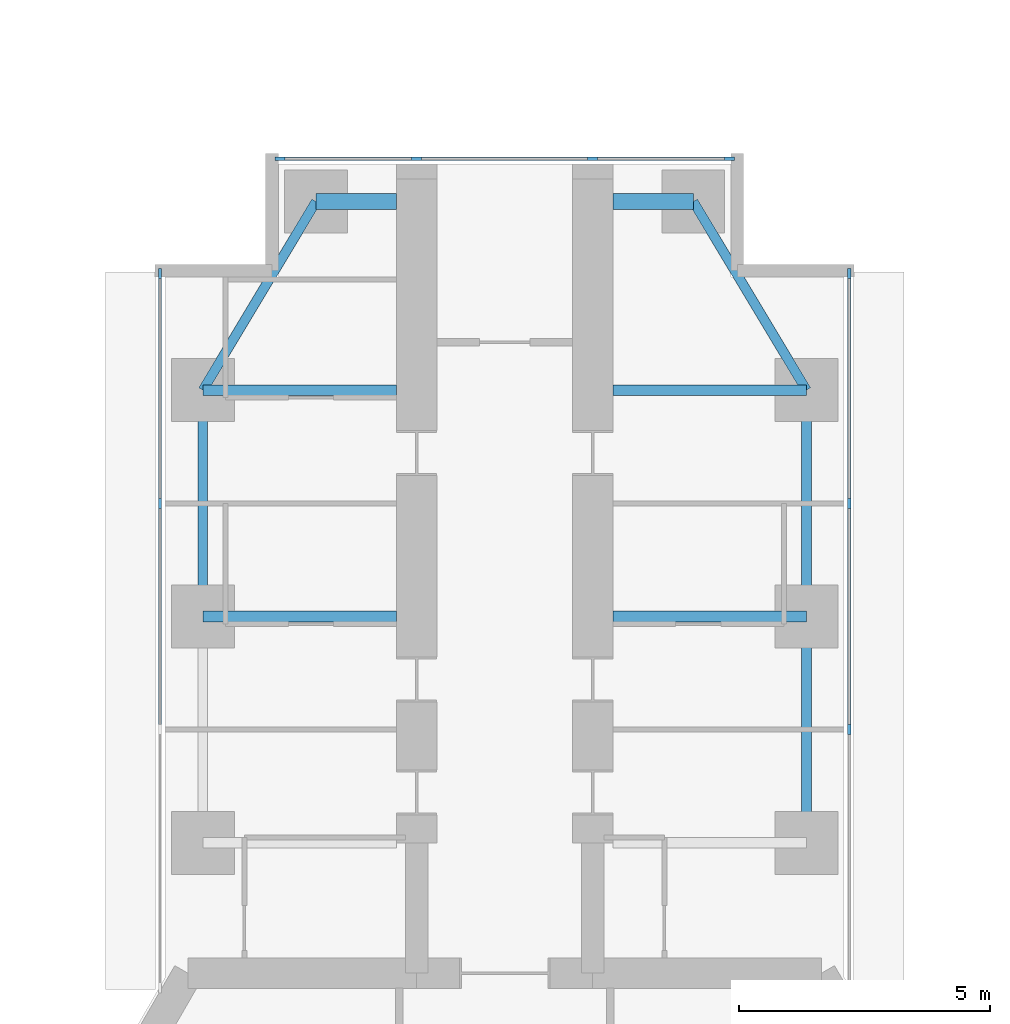
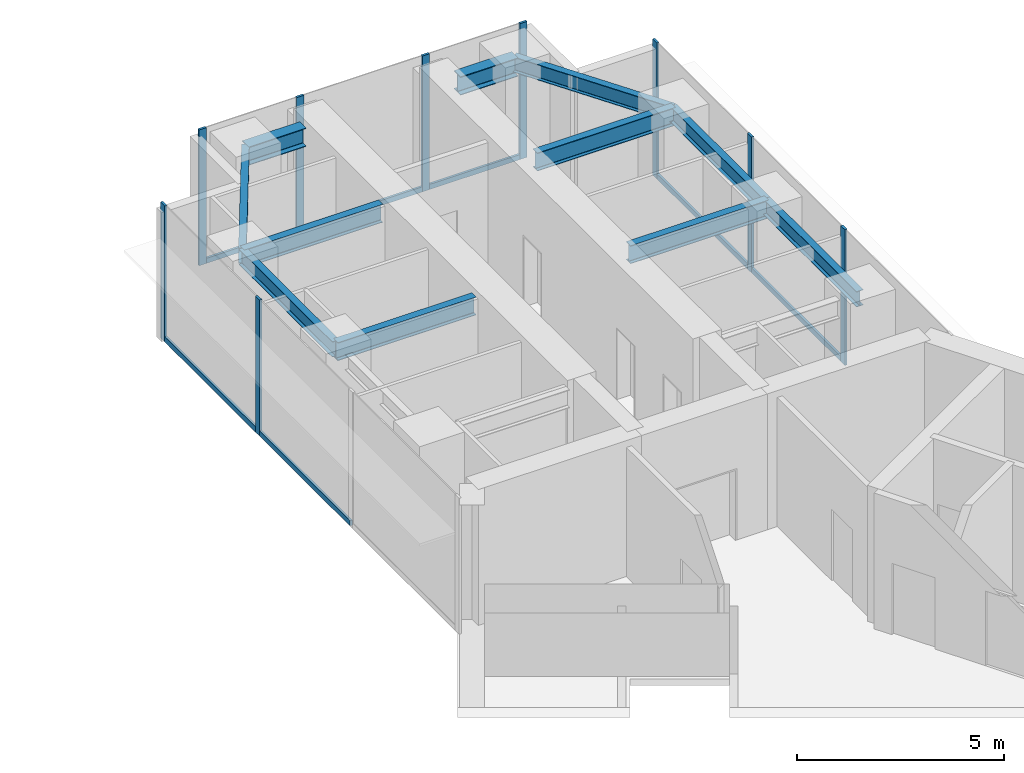
# One storey, part 12 of 23: 16 members, 11 beams, 3 elements without a shape of their own.
"""IFC4 building model written with IfcOpenShell, lengths in metres."""

from ifc_helpers import new_model, si_unit, direction, frame, origin, origin_2d, place, context, subcontext, project, spatial, rectangle, i_section, extrude, material, material_profile, profile_set, type_object, element, aggregate, save


model = new_model("IFC4")

# Units and contexts
model_context = context("Model", 3, precision=1e-05, world=origin(), true_north=direction((0.0, 1.0)))
body_context = subcontext(model_context, "Body", "Model", "MODEL_VIEW")
ifc_project = project(units=[si_unit("LENGTHUNIT", "METRE"), si_unit("AREAUNIT", "SQUARE_METRE"), si_unit("VOLUMEUNIT", "CUBIC_METRE"), si_unit("PLANEANGLEUNIT", "RADIAN"), si_unit("MASSUNIT", "GRAM", prefix="KILO")], contexts=[model_context])

# Site, building, storey
site_placement = place(None, origin())
site = spatial("IfcSite", under=ifc_project, at=site_placement, CompositionType="ELEMENT")
building_placement = place(site_placement, origin())
building = spatial("IfcBuilding", under=site, at=building_placement, Name="Upepo Twin Towers", CompositionType="ELEMENT")
storey_placement = place(building_placement, frame((0.0, 0.0, 157.5)))
storey = spatial("IfcBuildingStorey", under=building, at=storey_placement, Name="L38", CompositionType="ELEMENT", Elevation=157.5)

# Beams
ifc_material_1 = material(Name="Steel S355", Category="steel")
ifc_material_profile_1 = material_profile(ifc_material_1, i_section(OverallWidth=0.1904296875, OverallDepth=0.45703125, WebThickness=0.009033203125, FlangeThickness=0.014404296875, FilletRadius=0.01025390625, at=origin_2d()), Name="UB 457x191x74")
ifc_profile_set_1 = profile_set([ifc_material_profile_1], Name="Steel S355")
beam_type_1 = type_object("IfcBeamType", Name="Beam UB 457x191x74", PredefinedType="BEAM", material=ifc_profile_set_1)
beam_1_placement = place(storey_placement, frame((52.5, 0.0, 3.571533203125), z_axis=(0.0, 1.0, 0.0), x_axis=(-1.0, 0.0, 0.0)))
element("IfcBeam", 1, at=beam_1_placement, inside=storey, type_object=beam_type_1, Name="T2 edge beam AL 18.0-22.5", PredefinedType="BEAM", context=body_context, shape_type="SweptSolid", body=[
    extrude(i_section(OverallWidth=0.1904296875, OverallDepth=0.45703125, WebThickness=0.009033203125, FlangeThickness=0.014404296875, FilletRadius=0.01025390625, at=origin_2d()), origin(), (0.0, 0.0, 1.0), 4.5),
])
beam_2_placement = place(storey_placement, frame((52.5, 4.5, 3.571533203125), z_axis=(0.514495755428, 0.857492925713, 0.0), x_axis=(-0.857492925713, 0.514495755428, 0.0)))
element("IfcBeam", 2, at=beam_2_placement, inside=storey, type_object=beam_type_1, Name="T2 nose edge beam AL", PredefinedType="BEAM", context=body_context, shape_type="SweptSolid", body=[
    extrude(i_section(OverallWidth=0.1904296875, OverallDepth=0.45703125, WebThickness=0.009033203125, FlangeThickness=0.014404296875, FilletRadius=0.01025390625, at=origin_2d()), origin(), (0.0, 0.0, 1.0), 4.373291015625),
])
for number, where, z_axis, x_axis, name in (
    (3, (64.5, -4.5, 3.571533203125), (0.0, 1.0, 0.0), (-1.0, 0.0, 0.0), "T2 edge beam AR 13.5-18.0"),
    (4, (64.5, 0.0, 3.571533203125), (0.0, 1.0, 0.0), (-1.0, 0.0, 0.0), "T2 edge beam AR 18.0-22.5"),
):
    element("IfcBeam", number, at=place(storey_placement, frame(where, z_axis=z_axis, x_axis=x_axis)), inside=storey, type_object=beam_type_1, Name=name, PredefinedType="BEAM", context=body_context, shape_type="SweptSolid", body=[
        extrude(i_section(OverallWidth=0.1904296875, OverallDepth=0.45703125, WebThickness=0.009033203125, FlangeThickness=0.014404296875, FilletRadius=0.01025390625, at=origin_2d()), origin(), (0.0, 0.0, 1.0), 4.5),
    ])
beam_3_placement = place(storey_placement, frame((64.5, 4.5, 3.571533203125), z_axis=(-0.514495755428, 0.857492925713, 0.0), x_axis=(-0.857492925713, -0.514495755428, 0.0)))
element("IfcBeam", 5, at=beam_3_placement, inside=storey, type_object=beam_type_1, Name="T2 nose edge beam AR", PredefinedType="BEAM", context=body_context, shape_type="SweptSolid", body=[
    extrude(i_section(OverallWidth=0.1904296875, OverallDepth=0.45703125, WebThickness=0.009033203125, FlangeThickness=0.014404296875, FilletRadius=0.01025390625, at=origin_2d()), origin(), (0.0, 0.0, 1.0), 4.373291015625),
])
ifc_material_2 = material(Name="Steel S355", Category="steel")
ifc_material_profile_2 = material_profile(ifc_material_2, i_section(OverallWidth=0.209228515625, OverallDepth=0.533203125, WebThickness=0.010009765625, FlangeThickness=0.015625, FilletRadius=0.0126953125, at=origin_2d()), Name="UB 533x210x92")
ifc_profile_set_2 = profile_set([ifc_material_profile_2], Name="Steel S355")
beam_type_2 = type_object("IfcBeamType", Name="Beam UB 533x210x92", PredefinedType="BEAM", material=ifc_profile_set_2)
for number, where, z_axis, x_axis, name in (
    (6, (52.5, 0.0, 3.533447265625), (1.0, 0.0, 0.0), (0.0, 1.0, 0.0), "T2 girder AL at 18.0"),
    (7, (52.5, 4.5, 3.533447265625), (1.0, 0.0, 0.0), (0.0, 1.0, 0.0), "T2 girder AL at 22.5"),
    (8, (64.5, 0.0, 3.533447265625), (-1.0, 0.0, 0.0), (0.0, -1.0, 0.0), "T2 girder AR at 18.0"),
    (9, (64.5, 4.5, 3.533447265625), (-1.0, 0.0, 0.0), (0.0, -1.0, 0.0), "T2 girder AR at 22.5"),
):
    element("IfcBeam", number, at=place(storey_placement, frame(where, z_axis=z_axis, x_axis=x_axis)), inside=storey, type_object=beam_type_2, Name=name, PredefinedType="BEAM", context=body_context, shape_type="SweptSolid", body=[
        extrude(i_section(OverallWidth=0.209228515625, OverallDepth=0.533203125, WebThickness=0.010009765625, FlangeThickness=0.015625, FilletRadius=0.0126953125, at=origin_2d()), origin(), (0.0, 0.0, 1.0), 3.85009765625),
    ])
ifc_material_3 = material(Name="Steel S355", Category="steel")
ifc_material_profile_3 = material_profile(ifc_material_3, i_section(OverallWidth=0.31201171875, OverallDepth=0.54345703125, WebThickness=0.0126953125, FlangeThickness=0.020263671875, FilletRadius=0.0126953125, at=origin_2d()), Name="UB 533x312x150")
ifc_profile_set_3 = profile_set([ifc_material_profile_3], Name="Steel S355")
beam_type_3 = type_object("IfcBeamType", Name="Beam UB 533x312x150", PredefinedType="BEAM", material=ifc_profile_set_3)
for number, where, z_axis, x_axis, name in (
    (10, (54.75, 8.25, 3.5283203125), (1.0, 0.0, 0.0), (0.0, 1.0, 0.0), "T2 nose beam AL"),
    (11, (62.25, 8.25, 3.5283203125), (-1.0, 0.0, 0.0), (0.0, -1.0, 0.0), "T2 nose beam AR"),
):
    element("IfcBeam", number, at=place(storey_placement, frame(where, z_axis=z_axis, x_axis=x_axis)), inside=storey, type_object=beam_type_3, Name=name, PredefinedType="BEAM", context=body_context, shape_type="SweptSolid", body=[
        extrude(i_section(OverallWidth=0.31201171875, OverallDepth=0.54345703125, WebThickness=0.0126953125, FlangeThickness=0.020263671875, FilletRadius=0.0126953125, at=origin_2d()), origin(), (0.0, 0.0, 1.0), 1.60009765625),
    ])

# Curtain wall, members
ifc_material_4 = material(Name="Aluminium and fritted glass", Category="aluminium")
curtain_wall_type = type_object("IfcCurtainWallType", Name="Tower curtain wall TW2, fritted glass", PredefinedType="NOTDEFINED", material=ifc_material_4)
curtain_wall_1_placement = place(storey_placement, origin())
curtain_wall_1 = element("IfcCurtainWall", 12, at=curtain_wall_1_placement, inside=storey, type_object=curtain_wall_type, Name="T2 L38 wing A flank L curtain wall", PredefinedType="NOTDEFINED")
ifc_material_5 = material(Name="Aluminium mullion", Category="aluminium")
ifc_material_profile_4 = material_profile(ifc_material_5, rectangle(XDim=0.06494140625, YDim=0.199951171875, at=origin_2d()), Name="MULLION 65x200")
ifc_profile_set_4 = profile_set([ifc_material_profile_4], Name="Aluminium mullion")
member_type_1 = type_object("IfcMemberType", Name="Mullion 65x200 TW2", PredefinedType="MULLION", material=ifc_profile_set_4)
member_1_placement = place(storey_placement, frame((51.64990234375, 2.25, 0.0), z_axis=(0.0, 0.0, 1.0), x_axis=(-1.0, 0.0, 0.0)))
member_1 = element("IfcMember", 13, at=member_1_placement, type_object=member_type_1, Name="T2 L38 wing A flank L curtain wall mullion 3", PredefinedType="MULLION", context=body_context, shape_type="SweptSolid", body=[
    extrude(rectangle(XDim=0.06494140625, YDim=0.199951171875, at=origin_2d()), origin(), (0.0, 0.0, 1.0), 4.0),
])
member_2_placement = place(storey_placement, frame((51.64990234375, 6.8173828125, 0.0), z_axis=(0.0, 0.0, 1.0), x_axis=(-1.0, 0.0, 0.0)))
member_2 = element("IfcMember", 14, at=member_2_placement, type_object=member_type_1, Name="T2 L38 wing A flank L curtain wall mullion 4", PredefinedType="MULLION", context=body_context, shape_type="SweptSolid", body=[
    extrude(rectangle(XDim=0.06494140625, YDim=0.199951171875, at=origin_2d()), origin(), (0.0, 0.0, 1.0), 4.0),
])

curtain_wall_2_placement = place(storey_placement, origin())
curtain_wall_2 = element("IfcCurtainWall", 15, at=curtain_wall_2_placement, inside=storey, type_object=curtain_wall_type, Name="T2 L38 wing A flank R curtain wall", PredefinedType="NOTDEFINED")
member_3_placement = place(storey_placement, frame((65.35009765625, 6.8173828125, 0.0), z_axis=(0.0, 0.0, 1.0), x_axis=(1.0, 0.0, 0.0)))
member_3 = element("IfcMember", 16, at=member_3_placement, type_object=member_type_1, Name="T2 L38 wing A flank R curtain wall mullion 1", PredefinedType="MULLION", context=body_context, shape_type="SweptSolid", body=[
    extrude(rectangle(XDim=0.06494140625, YDim=0.199951171875, at=origin_2d()), origin(), (0.0, 0.0, 1.0), 4.0),
])
member_4_placement = place(storey_placement, frame((65.35009765625, 2.25, 0.0), z_axis=(0.0, 0.0, 1.0), x_axis=(1.0, 0.0, 0.0)))
member_4 = element("IfcMember", 17, at=member_4_placement, type_object=member_type_1, Name="T2 L38 wing A flank R curtain wall mullion 2", PredefinedType="MULLION", context=body_context, shape_type="SweptSolid", body=[
    extrude(rectangle(XDim=0.06494140625, YDim=0.199951171875, at=origin_2d()), origin(), (0.0, 0.0, 1.0), 4.0),
])
member_5_placement = place(storey_placement, frame((65.35009765625, -2.25, 0.0), z_axis=(0.0, 0.0, 1.0), x_axis=(1.0, 0.0, 0.0)))
member_5 = element("IfcMember", 18, at=member_5_placement, type_object=member_type_1, Name="T2 L38 wing A flank R curtain wall mullion 3", PredefinedType="MULLION", context=body_context, shape_type="SweptSolid", body=[
    extrude(rectangle(XDim=0.06494140625, YDim=0.199951171875, at=origin_2d()), origin(), (0.0, 0.0, 1.0), 4.0),
])

curtain_wall_3_placement = place(storey_placement, origin())
curtain_wall_3 = element("IfcCurtainWall", 19, at=curtain_wall_3_placement, inside=storey, type_object=curtain_wall_type, Name="T2 L38 wing A nose curtain wall", PredefinedType="NOTDEFINED")
member_6_placement = place(storey_placement, frame((62.967529296875, 9.10009765625, 0.0), z_axis=(0.0, 0.0, 1.0), x_axis=(0.0, -1.0, 0.0)))
member_6 = element("IfcMember", 20, at=member_6_placement, type_object=member_type_1, Name="T2 L38 wing A nose curtain wall mullion 1", PredefinedType="MULLION", context=body_context, shape_type="SweptSolid", body=[
    extrude(rectangle(XDim=0.06494140625, YDim=0.199951171875, at=origin_2d()), origin(), (0.0, 0.0, 1.0), 4.0),
])
member_7_placement = place(storey_placement, frame((60.25, 9.10009765625, 0.0), z_axis=(0.0, 0.0, 1.0), x_axis=(0.0, -1.0, 0.0)))
member_7 = element("IfcMember", 21, at=member_7_placement, type_object=member_type_1, Name="T2 L38 wing A nose curtain wall mullion 2", PredefinedType="MULLION", context=body_context, shape_type="SweptSolid", body=[
    extrude(rectangle(XDim=0.06494140625, YDim=0.199951171875, at=origin_2d()), origin(), (0.0, 0.0, 1.0), 4.0),
])
member_8_placement = place(storey_placement, frame((56.75, 9.10009765625, 0.0), z_axis=(0.0, 0.0, 1.0), x_axis=(0.0, -1.0, 0.0)))
member_8 = element("IfcMember", 22, at=member_8_placement, type_object=member_type_1, Name="T2 L38 wing A nose curtain wall mullion 3", PredefinedType="MULLION", context=body_context, shape_type="SweptSolid", body=[
    extrude(rectangle(XDim=0.06494140625, YDim=0.199951171875, at=origin_2d()), origin(), (0.0, 0.0, 1.0), 4.0),
])
member_9_placement = place(storey_placement, frame((54.032470703125, 9.10009765625, 0.0), z_axis=(0.0, 0.0, 1.0), x_axis=(0.0, -1.0, 0.0)))
member_9 = element("IfcMember", 23, at=member_9_placement, type_object=member_type_1, Name="T2 L38 wing A nose curtain wall mullion 4", PredefinedType="MULLION", context=body_context, shape_type="SweptSolid", body=[
    extrude(rectangle(XDim=0.06494140625, YDim=0.199951171875, at=origin_2d()), origin(), (0.0, 0.0, 1.0), 4.0),
])

# Member
ifc_material_6 = material(Name="Aluminium transom", Category="aluminium")
ifc_material_profile_5 = material_profile(ifc_material_6, rectangle(XDim=0.06494140625, YDim=0.14990234375, at=origin_2d()), Name="TRANSOM 65x150")
ifc_profile_set_5 = profile_set([ifc_material_profile_5], Name="Aluminium transom")
member_type_2 = type_object("IfcMemberType", Name="Transom 65x150 TW2", PredefinedType="USERDEFINED", material=ifc_profile_set_5)
member_10_placement = place(storey_placement, frame((51.64990234375, -2.217529296875, 0.074951171875), z_axis=(0.0, 1.0, 0.0), x_axis=(-1.0, 0.0, 0.0)))
member_10 = element("IfcMember", 24, at=member_10_placement, type_object=member_type_2, Name="T2 L38 wing A flank L curtain wall transom 2", ObjectType="TRANSOM", PredefinedType="USERDEFINED", context=body_context, shape_type="SweptSolid", body=[
    extrude(rectangle(XDim=0.06494140625, YDim=0.14990234375, at=origin_2d()), origin(), (0.0, 0.0, 1.0), 4.43505859375),
])

member_11_placement = place(storey_placement, frame((51.64990234375, 2.282470703125, 0.074951171875), z_axis=(0.0, 1.0, 0.0), x_axis=(-1.0, 0.0, 0.0)))
member_11 = element("IfcMember", 25, at=member_11_placement, type_object=member_type_2, Name="T2 L38 wing A flank L curtain wall transom 3", ObjectType="TRANSOM", PredefinedType="USERDEFINED", context=body_context, shape_type="SweptSolid", body=[
    extrude(rectangle(XDim=0.06494140625, YDim=0.14990234375, at=origin_2d()), origin(), (0.0, 0.0, 1.0), 4.50244140625),
])

aggregate(curtain_wall_1, [member_1, member_2, member_10, member_11])

member_12_placement = place(storey_placement, frame((65.35009765625, 6.784912109375, 0.074951171875), z_axis=(0.0, -1.0, 0.0), x_axis=(1.0, 0.0, 0.0)))
member_12 = element("IfcMember", 26, at=member_12_placement, type_object=member_type_2, Name="T2 L38 wing A flank R curtain wall transom 1", ObjectType="TRANSOM", PredefinedType="USERDEFINED", context=body_context, shape_type="SweptSolid", body=[
    extrude(rectangle(XDim=0.06494140625, YDim=0.14990234375, at=origin_2d()), origin(), (0.0, 0.0, 1.0), 4.50244140625),
])

member_13_placement = place(storey_placement, frame((65.35009765625, 2.217529296875, 0.074951171875), z_axis=(0.0, -1.0, 0.0), x_axis=(1.0, 0.0, 0.0)))
member_13 = element("IfcMember", 27, at=member_13_placement, type_object=member_type_2, Name="T2 L38 wing A flank R curtain wall transom 2", ObjectType="TRANSOM", PredefinedType="USERDEFINED", context=body_context, shape_type="SweptSolid", body=[
    extrude(rectangle(XDim=0.06494140625, YDim=0.14990234375, at=origin_2d()), origin(), (0.0, 0.0, 1.0), 4.43505859375),
])

aggregate(curtain_wall_2, [member_3, member_4, member_5, member_12, member_13])

member_14_placement = place(storey_placement, frame((62.93505859375, 9.10009765625, 0.074951171875), z_axis=(-1.0, 0.0, 0.0), x_axis=(0.0, -1.0, 0.0)))
member_14 = element("IfcMember", 28, at=member_14_placement, type_object=member_type_2, Name="T2 L38 wing A nose curtain wall transom 1", ObjectType="TRANSOM", PredefinedType="USERDEFINED", context=body_context, shape_type="SweptSolid", body=[
    extrude(rectangle(XDim=0.06494140625, YDim=0.14990234375, at=origin_2d()), origin(), (0.0, 0.0, 1.0), 2.652587890625),
])

member_15_placement = place(storey_placement, frame((60.217529296875, 9.10009765625, 0.074951171875), z_axis=(-1.0, 0.0, 0.0), x_axis=(0.0, -1.0, 0.0)))
member_15 = element("IfcMember", 29, at=member_15_placement, type_object=member_type_2, Name="T2 L38 wing A nose curtain wall transom 2", ObjectType="TRANSOM", PredefinedType="USERDEFINED", context=body_context, shape_type="SweptSolid", body=[
    extrude(rectangle(XDim=0.06494140625, YDim=0.14990234375, at=origin_2d()), origin(), (0.0, 0.0, 1.0), 3.43505859375),
])

member_16_placement = place(storey_placement, frame((56.717529296875, 9.10009765625, 0.074951171875), z_axis=(-1.0, 0.0, 0.0), x_axis=(0.0, -1.0, 0.0)))
member_16 = element("IfcMember", 30, at=member_16_placement, type_object=member_type_2, Name="T2 L38 wing A nose curtain wall transom 3", ObjectType="TRANSOM", PredefinedType="USERDEFINED", context=body_context, shape_type="SweptSolid", body=[
    extrude(rectangle(XDim=0.06494140625, YDim=0.14990234375, at=origin_2d()), origin(), (0.0, 0.0, 1.0), 2.652587890625),
])

aggregate(curtain_wall_3, [member_6, member_7, member_8, member_9, member_14, member_15, member_16])

save(model, "model.ifc")
